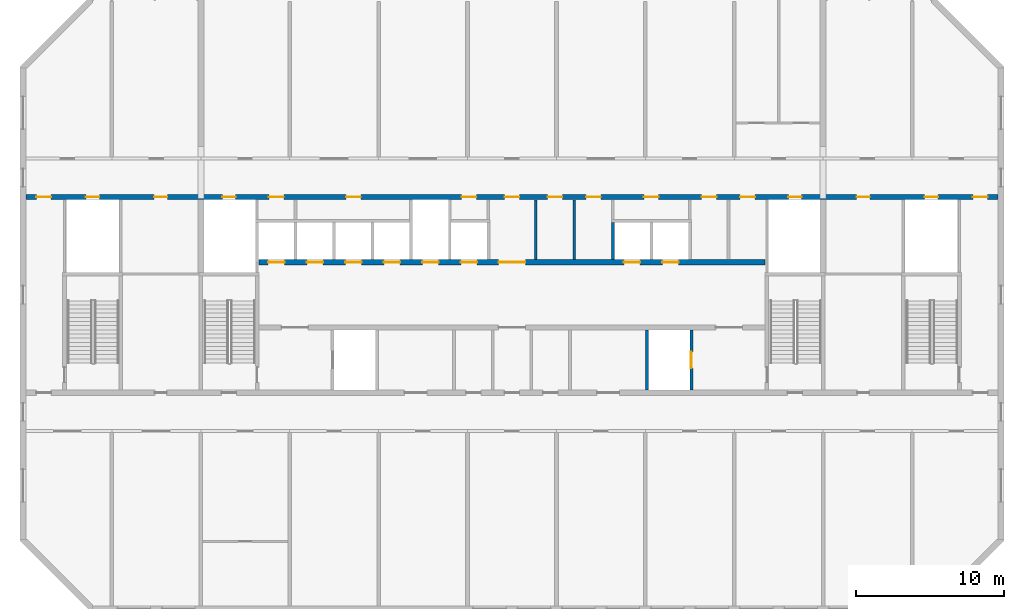
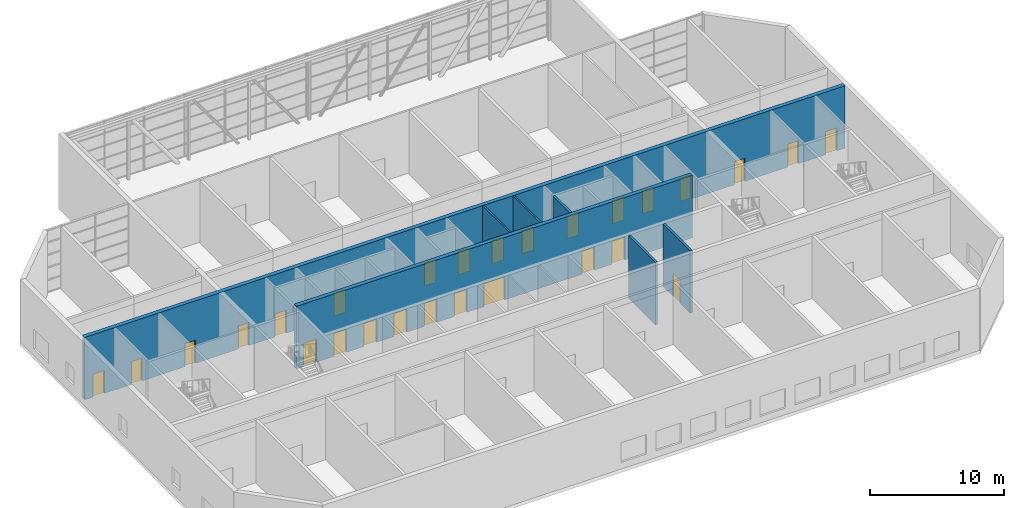
# One storey, part 13 of 17: 27 doors, 7 walls, 27 openings.
"""IFC4 building model written with IfcOpenShell, lengths in metres."""

from ifc_helpers import new_model, si_unit, direction, frame, frame_2d, origin, place, context, subcontext, project, spatial, rectangle, extrude, material, layer, layer_set, type_object, element, fill, save


model = new_model("IFC4")

# Units and contexts
model_context = context("Model", 3, precision=1e-05, world=origin(), true_north=direction((0.0, 1.0)))
body_context = subcontext(model_context, "Body", "Model", "MODEL_VIEW")
ifc_project = project(units=[si_unit("LENGTHUNIT", "METRE"), si_unit("AREAUNIT", "SQUARE_METRE"), si_unit("VOLUMEUNIT", "CUBIC_METRE"), si_unit("PLANEANGLEUNIT", "RADIAN"), si_unit("MASSUNIT", "GRAM", prefix="KILO")], contexts=[model_context])

# Site, building, storey
site_placement = place(None, origin())
site = spatial("IfcSite", under=ifc_project, at=site_placement, CompositionType="ELEMENT")
building_placement = place(site_placement, origin())
building = spatial("IfcBuilding", under=site, at=building_placement, Name="Poui Terraces", CompositionType="ELEMENT")
storey_placement = place(building_placement, frame((0.0, 0.0, 261.0)))
storey = spatial("IfcBuildingStorey", under=building, at=storey_placement, Name="L73", CompositionType="ELEMENT", Elevation=261.0)

# Wall, openings, doors
ifc_material_1 = material(Name="Concrete 50 MPa", Category="concrete")
ifc_layer_1 = layer(ifc_material_1, 0.35009765625)
ifc_layer_set_1 = layer_set([ifc_layer_1], Name="Concrete 50 MPa")
wall_type_1 = type_object("IfcWallType", Name="CORE WALL 350 50 MPA", PredefinedType="SOLIDWALL", material=ifc_layer_set_1)
wall_1_placement = place(storey_placement, frame((33.925048828125, 23.39990234375, 0.0), z_axis=(0.0, 0.0, 1.0), x_axis=(1.0, 0.0, 0.0)))
wall_1 = element("IfcWall", 1, at=wall_1_placement, inside=storey, type_object=wall_type_1, Name="CORE WALL", PredefinedType="SOLIDWALL", context=body_context, shape_type="SweptSolid", body=[
    extrude(rectangle(XDim=34.14990234375, YDim=0.35009765625, at=frame_2d((17.074951171875, 0.0))), origin(), (0.0, 0.0, 1.0), 5.699951171875),
])
opening_1_placement = place(wall_1_placement, frame((16.175048828125, 0.0, 0.0)))
opening_1 = element("IfcOpeningElement", 2, at=opening_1_placement, cuts=wall_1, Name="Opening FDD60", PredefinedType="OPENING", context=body_context, shape_type="SweptSolid", body=[
    extrude(rectangle(XDim=1.800048828125, YDim=2.10009765625, at=frame_2d((0.89990234375, 1.050048828125))), frame((0.0, 0.18505859375, 0.0), z_axis=(0.0, -1.0, 0.0), x_axis=(1.0, 0.0, 0.0)), (0.0, 0.0, 1.0), 0.3701171875),
])
opening_2_placement = place(wall_1_placement, frame((0.625, 0.0, 0.0)))
opening_2 = element("IfcOpeningElement", 3, at=opening_2_placement, cuts=wall_1, Name="Opening LD", PredefinedType="OPENING", context=body_context, shape_type="SweptSolid", body=[
    extrude(rectangle(XDim=1.10009765625, YDim=2.10009765625, at=frame_2d((0.550048828125, 1.050048828125))), frame((0.0, 0.18505859375, 0.0), z_axis=(0.0, -1.0, 0.0), x_axis=(1.0, 0.0, 0.0)), (0.0, 0.0, 1.0), 0.3701171875),
])
opening_3_placement = place(wall_1_placement, frame((3.22509765625, 0.0, 0.0)))
opening_3 = element("IfcOpeningElement", 4, at=opening_3_placement, cuts=wall_1, Name="Opening LD", PredefinedType="OPENING", context=body_context, shape_type="SweptSolid", body=[
    extrude(rectangle(XDim=1.10009765625, YDim=2.10009765625, at=frame_2d((0.550048828125, 1.050048828125))), frame((0.0, 0.18505859375, 0.0), z_axis=(0.0, -1.0, 0.0), x_axis=(1.0, 0.0, 0.0)), (0.0, 0.0, 1.0), 0.3701171875),
])
opening_4_placement = place(wall_1_placement, frame((5.824951171875, 0.0, 0.0)))
opening_4 = element("IfcOpeningElement", 5, at=opening_4_placement, cuts=wall_1, Name="Opening LD", PredefinedType="OPENING", context=body_context, shape_type="SweptSolid", body=[
    extrude(rectangle(XDim=1.10009765625, YDim=2.10009765625, at=frame_2d((0.550048828125, 1.050048828125))), frame((0.0, 0.18505859375, 0.0), z_axis=(0.0, -1.0, 0.0), x_axis=(1.0, 0.0, 0.0)), (0.0, 0.0, 1.0), 0.3701171875),
])
opening_5_placement = place(wall_1_placement, frame((8.425048828125, 0.0, 0.0)))
opening_5 = element("IfcOpeningElement", 6, at=opening_5_placement, cuts=wall_1, Name="Opening LD", PredefinedType="OPENING", context=body_context, shape_type="SweptSolid", body=[
    extrude(rectangle(XDim=1.10009765625, YDim=2.10009765625, at=frame_2d((0.550048828125, 1.050048828125))), frame((0.0, 0.18505859375, 0.0), z_axis=(0.0, -1.0, 0.0), x_axis=(1.0, 0.0, 0.0)), (0.0, 0.0, 1.0), 0.3701171875),
])
opening_6_placement = place(wall_1_placement, frame((11.02490234375, 0.0, 0.0)))
opening_6 = element("IfcOpeningElement", 7, at=opening_6_placement, cuts=wall_1, Name="Opening LD", PredefinedType="OPENING", context=body_context, shape_type="SweptSolid", body=[
    extrude(rectangle(XDim=1.10009765625, YDim=2.10009765625, at=frame_2d((0.550048828125, 1.050048828125))), frame((0.0, 0.18505859375, 0.0), z_axis=(0.0, -1.0, 0.0), x_axis=(1.0, 0.0, 0.0)), (0.0, 0.0, 1.0), 0.3701171875),
])
opening_7_placement = place(wall_1_placement, frame((13.625, 0.0, 0.0)))
opening_7 = element("IfcOpeningElement", 8, at=opening_7_placement, cuts=wall_1, Name="Opening LD", PredefinedType="OPENING", context=body_context, shape_type="SweptSolid", body=[
    extrude(rectangle(XDim=1.10009765625, YDim=2.10009765625, at=frame_2d((0.550048828125, 1.050048828125))), frame((0.0, 0.18505859375, 0.0), z_axis=(0.0, -1.0, 0.0), x_axis=(1.0, 0.0, 0.0)), (0.0, 0.0, 1.0), 0.3701171875),
])
opening_8_placement = place(wall_1_placement, frame((24.625, 0.0, 0.0)))
opening_8 = element("IfcOpeningElement", 9, at=opening_8_placement, cuts=wall_1, Name="Opening LD", PredefinedType="OPENING", context=body_context, shape_type="SweptSolid", body=[
    extrude(rectangle(XDim=1.10009765625, YDim=2.10009765625, at=frame_2d((0.550048828125, 1.050048828125))), frame((0.0, 0.18505859375, 0.0), z_axis=(0.0, -1.0, 0.0), x_axis=(1.0, 0.0, 0.0)), (0.0, 0.0, 1.0), 0.3701171875),
])
opening_9_placement = place(wall_1_placement, frame((27.22509765625, 0.0, 0.0)))
opening_9 = element("IfcOpeningElement", 10, at=opening_9_placement, cuts=wall_1, Name="Opening LD", PredefinedType="OPENING", context=body_context, shape_type="SweptSolid", body=[
    extrude(rectangle(XDim=1.10009765625, YDim=2.10009765625, at=frame_2d((0.550048828125, 1.050048828125))), frame((0.0, 0.18505859375, 0.0), z_axis=(0.0, -1.0, 0.0), x_axis=(1.0, 0.0, 0.0)), (0.0, 0.0, 1.0), 0.3701171875),
])
ifc_material_2 = material(Name="Steel fire door", Category="steel")
door_type_1 = type_object("IfcDoorType", Name="DOUBLE LOBBY FIRE DOOR 1800 X 2100", OperationType="DOUBLE_DOOR_SINGLE_SWING", PredefinedType="DOOR", material=ifc_material_2)
door_1_placement = place(opening_1_placement, origin())
door_1 = element("IfcDoor", 11, at=door_1_placement, inside=storey, type_object=door_type_1, Name="DOUBLE LOBBY FIRE DOOR 061", OperationType="DOUBLE_DOOR_SINGLE_SWING", OverallHeight=2.10009765625, OverallWidth=1.800048828125, PredefinedType="DOOR", context=body_context, shape_type="SweptSolid", body=[
    extrude(rectangle(XDim=1.800048828125, YDim=2.10009765625, at=frame_2d((0.89990234375, 1.050048828125))), frame((0.0, 0.02490234375, 0.0), z_axis=(0.0, -1.0, 0.0), x_axis=(1.0, 0.0, 0.0)), (0.0, 0.0, 1.0), 0.050048828125),
])
fill(opening_1, door_1)
ifc_material_3 = material(Name="Stainless steel sliding door", Category="steel")
door_type_2 = type_object("IfcDoorType", Name="LIFT LANDING DOOR 1100 X 2100", OperationType="DOUBLE_DOOR_SLIDING", PredefinedType="DOOR", material=ifc_material_3)
door_2_placement = place(opening_2_placement, origin())
door_2 = element("IfcDoor", 12, at=door_2_placement, inside=storey, type_object=door_type_2, Name="LANDING DOOR", OperationType="DOUBLE_DOOR_SLIDING", OverallHeight=2.10009765625, OverallWidth=1.10009765625, PredefinedType="DOOR", context=body_context, shape_type="SweptSolid", body=[
    extrude(rectangle(XDim=1.10009765625, YDim=2.10009765625, at=frame_2d((0.550048828125, 1.050048828125))), frame((0.0, 0.02490234375, 0.0), z_axis=(0.0, -1.0, 0.0), x_axis=(1.0, 0.0, 0.0)), (0.0, 0.0, 1.0), 0.050048828125),
])
fill(opening_2, door_2)
door_3_placement = place(opening_3_placement, origin())
door_3 = element("IfcDoor", 13, at=door_3_placement, inside=storey, type_object=door_type_2, Name="LANDING DOOR", OperationType="DOUBLE_DOOR_SLIDING", OverallHeight=2.10009765625, OverallWidth=1.10009765625, PredefinedType="DOOR", context=body_context, shape_type="SweptSolid", body=[
    extrude(rectangle(XDim=1.10009765625, YDim=2.10009765625, at=frame_2d((0.550048828125, 1.050048828125))), frame((0.0, 0.02490234375, 0.0), z_axis=(0.0, -1.0, 0.0), x_axis=(1.0, 0.0, 0.0)), (0.0, 0.0, 1.0), 0.050048828125),
])
fill(opening_3, door_3)
door_4_placement = place(opening_4_placement, origin())
door_4 = element("IfcDoor", 14, at=door_4_placement, inside=storey, type_object=door_type_2, Name="LANDING DOOR", OperationType="DOUBLE_DOOR_SLIDING", OverallHeight=2.10009765625, OverallWidth=1.10009765625, PredefinedType="DOOR", context=body_context, shape_type="SweptSolid", body=[
    extrude(rectangle(XDim=1.10009765625, YDim=2.10009765625, at=frame_2d((0.550048828125, 1.050048828125))), frame((0.0, 0.02490234375, 0.0), z_axis=(0.0, -1.0, 0.0), x_axis=(1.0, 0.0, 0.0)), (0.0, 0.0, 1.0), 0.050048828125),
])
fill(opening_4, door_4)
door_5_placement = place(opening_5_placement, origin())
door_5 = element("IfcDoor", 15, at=door_5_placement, inside=storey, type_object=door_type_2, Name="LANDING DOOR", OperationType="DOUBLE_DOOR_SLIDING", OverallHeight=2.10009765625, OverallWidth=1.10009765625, PredefinedType="DOOR", context=body_context, shape_type="SweptSolid", body=[
    extrude(rectangle(XDim=1.10009765625, YDim=2.10009765625, at=frame_2d((0.550048828125, 1.050048828125))), frame((0.0, 0.02490234375, 0.0), z_axis=(0.0, -1.0, 0.0), x_axis=(1.0, 0.0, 0.0)), (0.0, 0.0, 1.0), 0.050048828125),
])
fill(opening_5, door_5)
door_6_placement = place(opening_6_placement, origin())
door_6 = element("IfcDoor", 16, at=door_6_placement, inside=storey, type_object=door_type_2, Name="LANDING DOOR", OperationType="DOUBLE_DOOR_SLIDING", OverallHeight=2.10009765625, OverallWidth=1.10009765625, PredefinedType="DOOR", context=body_context, shape_type="SweptSolid", body=[
    extrude(rectangle(XDim=1.10009765625, YDim=2.10009765625, at=frame_2d((0.550048828125, 1.050048828125))), frame((0.0, 0.02490234375, 0.0), z_axis=(0.0, -1.0, 0.0), x_axis=(1.0, 0.0, 0.0)), (0.0, 0.0, 1.0), 0.050048828125),
])
fill(opening_6, door_6)
door_7_placement = place(opening_7_placement, origin())
door_7 = element("IfcDoor", 17, at=door_7_placement, inside=storey, type_object=door_type_2, Name="LANDING DOOR", OperationType="DOUBLE_DOOR_SLIDING", OverallHeight=2.10009765625, OverallWidth=1.10009765625, PredefinedType="DOOR", context=body_context, shape_type="SweptSolid", body=[
    extrude(rectangle(XDim=1.10009765625, YDim=2.10009765625, at=frame_2d((0.550048828125, 1.050048828125))), frame((0.0, 0.02490234375, 0.0), z_axis=(0.0, -1.0, 0.0), x_axis=(1.0, 0.0, 0.0)), (0.0, 0.0, 1.0), 0.050048828125),
])
fill(opening_7, door_7)
door_8_placement = place(opening_8_placement, origin())
door_8 = element("IfcDoor", 18, at=door_8_placement, inside=storey, type_object=door_type_2, Name="LANDING DOOR", OperationType="DOUBLE_DOOR_SLIDING", OverallHeight=2.10009765625, OverallWidth=1.10009765625, PredefinedType="DOOR", context=body_context, shape_type="SweptSolid", body=[
    extrude(rectangle(XDim=1.10009765625, YDim=2.10009765625, at=frame_2d((0.550048828125, 1.050048828125))), frame((0.0, 0.02490234375, 0.0), z_axis=(0.0, -1.0, 0.0), x_axis=(1.0, 0.0, 0.0)), (0.0, 0.0, 1.0), 0.050048828125),
])
fill(opening_8, door_8)
door_9_placement = place(opening_9_placement, origin())
door_9 = element("IfcDoor", 19, at=door_9_placement, inside=storey, type_object=door_type_2, Name="LANDING DOOR", OperationType="DOUBLE_DOOR_SLIDING", OverallHeight=2.10009765625, OverallWidth=1.10009765625, PredefinedType="DOOR", context=body_context, shape_type="SweptSolid", body=[
    extrude(rectangle(XDim=1.10009765625, YDim=2.10009765625, at=frame_2d((0.550048828125, 1.050048828125))), frame((0.0, 0.02490234375, 0.0), z_axis=(0.0, -1.0, 0.0), x_axis=(1.0, 0.0, 0.0)), (0.0, 0.0, 1.0), 0.050048828125),
])
fill(opening_9, door_9)

# Walls
ifc_material_4 = material(Name="Fire-rated plasterboard wall")
ifc_layer_2 = layer(ifc_material_4, 0.14990234375)
ifc_layer_set_2 = layer_set([ifc_layer_2], Name="Fire-rated plasterboard wall")
wall_type_2 = type_object("IfcWallType", Name="CORRIDOR WALL 150", PredefinedType="PARTITIONING", material=ifc_layer_set_2)
wall_2_placement = place(storey_placement, frame((52.60009765625, 23.5849609375, 0.0), z_axis=(0.0, 0.0, 1.0), x_axis=(0.0, 1.0, 0.0)))
element("IfcWall", 20, at=wall_2_placement, inside=storey, type_object=wall_type_2, Name="CORRIDOR WALL 150", PredefinedType="PARTITIONING", context=body_context, shape_type="SweptSolid", body=[
    extrude(rectangle(XDim=4.030029296875, YDim=0.14990234375, at=frame_2d((2.01513671875, 0.0))), origin(), (0.0, 0.0, 1.0), 5.699951171875),
])
ifc_material_5 = material(Name="Plasterboard partition")
ifc_layer_3 = layer(ifc_material_5, 0.14990234375)
ifc_layer_set_3 = layer_set([ifc_layer_3], Name="Plasterboard partition")
wall_type_3 = type_object("IfcWallType", Name="PARTITION WALL 150", PredefinedType="PARTITIONING", material=ifc_layer_set_3)
wall_3_placement = place(storey_placement, frame((55.199951171875, 23.5849609375, 0.0), z_axis=(0.0, 0.0, 1.0), x_axis=(0.0, 1.0, 0.0)))
element("IfcWall", 21, at=wall_3_placement, inside=storey, type_object=wall_type_3, Name="PARTITION WALL 150", PredefinedType="PARTITIONING", context=body_context, shape_type="SweptSolid", body=[
    extrude(rectangle(XDim=4.030029296875, YDim=0.14990234375, at=frame_2d((2.01513671875, 0.0))), origin(), (0.0, 0.0, 1.0), 5.699951171875),
])
ifc_material_6 = material(Name="Fire-rated masonry shaft wall", Category="masonry")
ifc_layer_4 = layer(ifc_material_6, 0.199951171875)
ifc_layer_set_4 = layer_set([ifc_layer_4], Name="Fire-rated masonry shaft wall")
wall_type_4 = type_object("IfcWallType", Name="SHAFT WALL 200", PredefinedType="PARTITIONING", material=ifc_layer_set_4)
wall_4_placement = place(storey_placement, frame((57.800048828125, 23.5849609375, 0.0), z_axis=(0.0, 0.0, 1.0), x_axis=(0.0, 1.0, 0.0)))
element("IfcWall", 22, at=wall_4_placement, inside=storey, type_object=wall_type_4, Name="SHAFT WALL 200", PredefinedType="PARTITIONING", context=body_context, shape_type="SweptSolid", body=[
    extrude(rectangle(XDim=2.51513671875, YDim=0.199951171875, at=frame_2d((1.257568359375, 0.0))), origin(), (0.0, 0.0, 1.0), 5.699951171875),
])
wall_5_placement = place(storey_placement, frame((60.10009765625, 14.784912109375, 0.0), z_axis=(0.0, 0.0, 1.0), x_axis=(0.0, 1.0, 0.0)))
element("IfcWall", 23, at=wall_5_placement, inside=storey, type_object=wall_type_4, Name="SHAFT WALL 200", PredefinedType="PARTITIONING", context=body_context, shape_type="SweptSolid", body=[
    extrude(rectangle(XDim=4.030029296875, YDim=0.199951171875, at=frame_2d((2.01513671875, 0.0))), origin(), (0.0, 0.0, 1.0), 5.699951171875),
])

# Wall, opening, door
wall_6_placement = place(storey_placement, frame((63.10009765625, 14.784912109375, 0.0), z_axis=(0.0, 0.0, 1.0), x_axis=(0.0, 1.0, 0.0)))
wall_6 = element("IfcWall", 24, at=wall_6_placement, inside=storey, type_object=wall_type_4, Name="SHAFT WALL 200", PredefinedType="PARTITIONING", context=body_context, shape_type="SweptSolid", body=[
    extrude(rectangle(XDim=4.030029296875, YDim=0.199951171875, at=frame_2d((2.01513671875, 0.0))), origin(), (0.0, 0.0, 1.0), 5.699951171875),
])
opening_10_placement = place(wall_6_placement, frame((1.465087890625, 0.0, 0.0)))
opening_10 = element("IfcOpeningElement", 25, at=opening_10_placement, cuts=wall_6, Name="Opening LD", PredefinedType="OPENING", context=body_context, shape_type="SweptSolid", body=[
    extrude(rectangle(XDim=1.10009765625, YDim=2.10009765625, at=frame_2d((0.550048828125, 1.050048828125))), frame((0.0, 0.10986328125, 0.0), z_axis=(0.0, -1.0, 0.0), x_axis=(1.0, 0.0, 0.0)), (0.0, 0.0, 1.0), 0.219970703125),
])
door_10_placement = place(opening_10_placement, origin())
door_10 = element("IfcDoor", 26, at=door_10_placement, inside=storey, type_object=door_type_2, Name="LANDING DOOR", OperationType="DOUBLE_DOOR_SLIDING", OverallHeight=2.10009765625, OverallWidth=1.10009765625, PredefinedType="DOOR", context=body_context, shape_type="SweptSolid", body=[
    extrude(rectangle(XDim=1.10009765625, YDim=2.10009765625, at=frame_2d((0.550048828125, 1.050048828125))), frame((0.0, 0.02490234375, 0.0), z_axis=(0.0, -1.0, 0.0), x_axis=(1.0, 0.0, 0.0)), (0.0, 0.0, 1.0), 0.050048828125),
])
fill(opening_10, door_10)

# Wall, openings, doors
ifc_layer_5 = layer(ifc_material_1, 0.35009765625)
ifc_layer_set_5 = layer_set([ifc_layer_5], Name="Concrete 50 MPa")
wall_type_5 = type_object("IfcWallType", Name="SPINE WALL 350 50 MPA", PredefinedType="SOLIDWALL", material=ifc_layer_set_5)
wall_7_placement = place(storey_placement, frame((18.199951171875, 27.800048828125, 0.0), z_axis=(0.0, 0.0, 1.0), x_axis=(1.0, 0.0, 0.0)))
wall_7 = element("IfcWall", 27, at=wall_7_placement, inside=storey, type_object=wall_type_5, Name="SPINE WALL", PredefinedType="SOLIDWALL", context=body_context, shape_type="SweptSolid", body=[
    extrude(rectangle(XDim=65.60009765625, YDim=0.35009765625, at=frame_2d((32.800048828125, 0.0))), origin(), (0.0, 0.0, 1.0), 5.699951171875),
])
opening_11_placement = place(wall_7_placement, frame((0.699951171875, 0.0, 0.0)))
opening_11 = element("IfcOpeningElement", 28, at=opening_11_placement, cuts=wall_7, Name="Opening FDL", PredefinedType="OPENING", context=body_context, shape_type="SweptSolid", body=[
    extrude(rectangle(XDim=1.0, YDim=2.10009765625, at=frame_2d((0.5, 1.050048828125))), frame((0.0, 0.18505859375, 0.0), z_axis=(0.0, -1.0, 0.0), x_axis=(1.0, 0.0, 0.0)), (0.0, 0.0, 1.0), 0.3701171875),
])
opening_12_placement = place(wall_7_placement, frame((4.050048828125, 0.0, 0.0)))
opening_12 = element("IfcOpeningElement", 29, at=opening_12_placement, cuts=wall_7, Name="Opening FDR", PredefinedType="OPENING", context=body_context, shape_type="SweptSolid", body=[
    extrude(rectangle(XDim=0.89990234375, YDim=2.10009765625, at=frame_2d((0.449951171875, 1.050048828125))), frame((0.0, 0.18505859375, 0.0), z_axis=(0.0, -1.0, 0.0), x_axis=(1.0, 0.0, 0.0)), (0.0, 0.0, 1.0), 0.3701171875),
])
opening_13_placement = place(wall_7_placement, frame((8.64990234375, 0.0, 0.0)))
opening_13 = element("IfcOpeningElement", 30, at=opening_13_placement, cuts=wall_7, Name="Opening D90", PredefinedType="OPENING", context=body_context, shape_type="SweptSolid", body=[
    extrude(rectangle(XDim=0.89990234375, YDim=2.10009765625, at=frame_2d((0.449951171875, 1.050048828125))), frame((0.0, 0.18505859375, 0.0), z_axis=(0.0, -1.0, 0.0), x_axis=(1.0, 0.0, 0.0)), (0.0, 0.0, 1.0), 0.3701171875),
])
opening_14_placement = place(wall_7_placement, frame((13.25, 0.0, 0.0)))
opening_14 = element("IfcOpeningElement", 31, at=opening_14_placement, cuts=wall_7, Name="Opening FDR", PredefinedType="OPENING", context=body_context, shape_type="SweptSolid", body=[
    extrude(rectangle(XDim=0.89990234375, YDim=2.10009765625, at=frame_2d((0.449951171875, 1.050048828125))), frame((0.0, 0.18505859375, 0.0), z_axis=(0.0, -1.0, 0.0), x_axis=(1.0, 0.0, 0.0)), (0.0, 0.0, 1.0), 0.3701171875),
])
opening_15_placement = place(wall_7_placement, frame((16.39990234375, 0.0, 0.0)))
opening_15 = element("IfcOpeningElement", 32, at=opening_15_placement, cuts=wall_7, Name="Opening FD60", PredefinedType="OPENING", context=body_context, shape_type="SweptSolid", body=[
    extrude(rectangle(XDim=1.0, YDim=2.10009765625, at=frame_2d((0.5, 1.050048828125))), frame((0.0, 0.18505859375, 0.0), z_axis=(0.0, -1.0, 0.0), x_axis=(1.0, 0.0, 0.0)), (0.0, 0.0, 1.0), 0.3701171875),
])
opening_16_placement = place(wall_7_placement, frame((21.60009765625, 0.0, 0.0)))
opening_16 = element("IfcOpeningElement", 33, at=opening_16_placement, cuts=wall_7, Name="Opening FD60", PredefinedType="OPENING", context=body_context, shape_type="SweptSolid", body=[
    extrude(rectangle(XDim=1.0, YDim=2.10009765625, at=frame_2d((0.5, 1.050048828125))), frame((0.0, 0.18505859375, 0.0), z_axis=(0.0, -1.0, 0.0), x_axis=(1.0, 0.0, 0.0)), (0.0, 0.0, 1.0), 0.3701171875),
])
opening_17_placement = place(wall_7_placement, frame((29.39990234375, 0.0, 0.0)))
opening_17 = element("IfcOpeningElement", 34, at=opening_17_placement, cuts=wall_7, Name="Opening FD60", PredefinedType="OPENING", context=body_context, shape_type="SweptSolid", body=[
    extrude(rectangle(XDim=1.0, YDim=2.10009765625, at=frame_2d((0.5, 1.050048828125))), frame((0.0, 0.18505859375, 0.0), z_axis=(0.0, -1.0, 0.0), x_axis=(1.0, 0.0, 0.0)), (0.0, 0.0, 1.0), 0.3701171875),
])
opening_18_placement = place(wall_7_placement, frame((32.300048828125, 0.0, 0.0)))
opening_18 = element("IfcOpeningElement", 35, at=opening_18_placement, cuts=wall_7, Name="Opening FDL", PredefinedType="OPENING", context=body_context, shape_type="SweptSolid", body=[
    extrude(rectangle(XDim=1.0, YDim=2.10009765625, at=frame_2d((0.5, 1.050048828125))), frame((0.0, 0.18505859375, 0.0), z_axis=(0.0, -1.0, 0.0), x_axis=(1.0, 0.0, 0.0)), (0.0, 0.0, 1.0), 0.3701171875),
])
opening_19_placement = place(wall_7_placement, frame((35.199951171875, 0.0, 0.0)))
opening_19 = element("IfcOpeningElement", 36, at=opening_19_placement, cuts=wall_7, Name="Opening FD60", PredefinedType="OPENING", context=body_context, shape_type="SweptSolid", body=[
    extrude(rectangle(XDim=1.0, YDim=2.10009765625, at=frame_2d((0.5, 1.050048828125))), frame((0.0, 0.18505859375, 0.0), z_axis=(0.0, -1.0, 0.0), x_axis=(1.0, 0.0, 0.0)), (0.0, 0.0, 1.0), 0.3701171875),
])
opening_20_placement = place(wall_7_placement, frame((37.800048828125, 0.0, 0.0)))
opening_20 = element("IfcOpeningElement", 37, at=opening_20_placement, cuts=wall_7, Name="Opening FD60", PredefinedType="OPENING", context=body_context, shape_type="SweptSolid", body=[
    extrude(rectangle(XDim=1.0, YDim=2.10009765625, at=frame_2d((0.5, 1.050048828125))), frame((0.0, 0.18505859375, 0.0), z_axis=(0.0, -1.0, 0.0), x_axis=(1.0, 0.0, 0.0)), (0.0, 0.0, 1.0), 0.3701171875),
])
opening_21_placement = place(wall_7_placement, frame((41.699951171875, 0.0, 0.0)))
opening_21 = element("IfcOpeningElement", 38, at=opening_21_placement, cuts=wall_7, Name="Opening FD60", PredefinedType="OPENING", context=body_context, shape_type="SweptSolid", body=[
    extrude(rectangle(XDim=1.0, YDim=2.10009765625, at=frame_2d((0.5, 1.050048828125))), frame((0.0, 0.18505859375, 0.0), z_axis=(0.0, -1.0, 0.0), x_axis=(1.0, 0.0, 0.0)), (0.0, 0.0, 1.0), 0.3701171875),
])
opening_22_placement = place(wall_7_placement, frame((45.60009765625, 0.0, 0.0)))
opening_22 = element("IfcOpeningElement", 39, at=opening_22_placement, cuts=wall_7, Name="Opening FD60", PredefinedType="OPENING", context=body_context, shape_type="SweptSolid", body=[
    extrude(rectangle(XDim=1.0, YDim=2.10009765625, at=frame_2d((0.5, 1.050048828125))), frame((0.0, 0.18505859375, 0.0), z_axis=(0.0, -1.0, 0.0), x_axis=(1.0, 0.0, 0.0)), (0.0, 0.0, 1.0), 0.3701171875),
])
opening_23_placement = place(wall_7_placement, frame((48.199951171875, 0.0, 0.0)))
opening_23 = element("IfcOpeningElement", 40, at=opening_23_placement, cuts=wall_7, Name="Opening FD60", PredefinedType="OPENING", context=body_context, shape_type="SweptSolid", body=[
    extrude(rectangle(XDim=1.0, YDim=2.10009765625, at=frame_2d((0.5, 1.050048828125))), frame((0.0, 0.18505859375, 0.0), z_axis=(0.0, -1.0, 0.0), x_axis=(1.0, 0.0, 0.0)), (0.0, 0.0, 1.0), 0.3701171875),
])
opening_24_placement = place(wall_7_placement, frame((51.449951171875, 0.0, 0.0)))
opening_24 = element("IfcOpeningElement", 41, at=opening_24_placement, cuts=wall_7, Name="Opening FDR", PredefinedType="OPENING", context=body_context, shape_type="SweptSolid", body=[
    extrude(rectangle(XDim=0.89990234375, YDim=2.10009765625, at=frame_2d((0.449951171875, 1.050048828125))), frame((0.0, 0.18505859375, 0.0), z_axis=(0.0, -1.0, 0.0), x_axis=(1.0, 0.0, 0.0)), (0.0, 0.0, 1.0), 0.3701171875),
])
opening_25_placement = place(wall_7_placement, frame((56.050048828125, 0.0, 0.0)))
opening_25 = element("IfcOpeningElement", 42, at=opening_25_placement, cuts=wall_7, Name="Opening D90", PredefinedType="OPENING", context=body_context, shape_type="SweptSolid", body=[
    extrude(rectangle(XDim=0.89990234375, YDim=2.10009765625, at=frame_2d((0.449951171875, 1.050048828125))), frame((0.0, 0.18505859375, 0.0), z_axis=(0.0, -1.0, 0.0), x_axis=(1.0, 0.0, 0.0)), (0.0, 0.0, 1.0), 0.3701171875),
])
opening_26_placement = place(wall_7_placement, frame((60.64990234375, 0.0, 0.0)))
opening_26 = element("IfcOpeningElement", 43, at=opening_26_placement, cuts=wall_7, Name="Opening FDR", PredefinedType="OPENING", context=body_context, shape_type="SweptSolid", body=[
    extrude(rectangle(XDim=0.89990234375, YDim=2.10009765625, at=frame_2d((0.449951171875, 1.050048828125))), frame((0.0, 0.18505859375, 0.0), z_axis=(0.0, -1.0, 0.0), x_axis=(1.0, 0.0, 0.0)), (0.0, 0.0, 1.0), 0.3701171875),
])
opening_27_placement = place(wall_7_placement, frame((63.89990234375, 0.0, 0.0)))
opening_27 = element("IfcOpeningElement", 44, at=opening_27_placement, cuts=wall_7, Name="Opening FDL", PredefinedType="OPENING", context=body_context, shape_type="SweptSolid", body=[
    extrude(rectangle(XDim=1.0, YDim=2.10009765625, at=frame_2d((0.5, 1.050048828125))), frame((0.0, 0.18505859375, 0.0), z_axis=(0.0, -1.0, 0.0), x_axis=(1.0, 0.0, 0.0)), (0.0, 0.0, 1.0), 0.3701171875),
])
ifc_material_7 = material(Name="Solid core timber door", Category="wood")
door_type_3 = type_object("IfcDoorType", Name="INTERNAL DOOR 900 X 2100", OperationType="NOTDEFINED", PredefinedType="DOOR", material=ifc_material_7)
door_11_placement = place(opening_13_placement, origin())
door_11 = element("IfcDoor", 45, at=door_11_placement, inside=storey, type_object=door_type_3, Name="INTERNAL DOOR 005", OperationType="SINGLE_SWING_LEFT", OverallHeight=2.10009765625, OverallWidth=0.89990234375, PredefinedType="DOOR", context=body_context, shape_type="SweptSolid", body=[
    extrude(rectangle(XDim=0.89990234375, YDim=2.10009765625, at=frame_2d((0.449951171875, 1.050048828125))), frame((0.0, 0.02490234375, 0.0), z_axis=(0.0, -1.0, 0.0), x_axis=(1.0, 0.0, 0.0)), (0.0, 0.0, 1.0), 0.050048828125),
])
fill(opening_13, door_11)
door_12_placement = place(opening_25_placement, origin())
door_12 = element("IfcDoor", 46, at=door_12_placement, inside=storey, type_object=door_type_3, Name="INTERNAL DOOR 024", OperationType="SINGLE_SWING_LEFT", OverallHeight=2.10009765625, OverallWidth=0.89990234375, PredefinedType="DOOR", context=body_context, shape_type="SweptSolid", body=[
    extrude(rectangle(XDim=0.89990234375, YDim=2.10009765625, at=frame_2d((0.449951171875, 1.050048828125))), frame((0.0, 0.02490234375, 0.0), z_axis=(0.0, -1.0, 0.0), x_axis=(1.0, 0.0, 0.0)), (0.0, 0.0, 1.0), 0.050048828125),
])
fill(opening_25, door_12)
door_type_4 = type_object("IfcDoorType", Name="LOBBY FIRE DOOR 1000 X 2100", OperationType="NOTDEFINED", PredefinedType="DOOR", material=ifc_material_2)
door_13_placement = place(opening_11_placement, origin())
door_13 = element("IfcDoor", 47, at=door_13_placement, inside=storey, type_object=door_type_4, Name="LOBBY FIRE DOOR 001", OperationType="SINGLE_SWING_RIGHT", OverallHeight=2.10009765625, OverallWidth=1.0, PredefinedType="DOOR", context=body_context, shape_type="SweptSolid", body=[
    extrude(rectangle(XDim=1.0, YDim=2.10009765625, at=frame_2d((0.5, 1.050048828125))), frame((0.0, 0.02490234375, 0.0), z_axis=(0.0, -1.0, 0.0), x_axis=(1.0, 0.0, 0.0)), (0.0, 0.0, 1.0), 0.050048828125),
])
fill(opening_11, door_13)
door_14_placement = place(opening_18_placement, origin())
door_14 = element("IfcDoor", 48, at=door_14_placement, inside=storey, type_object=door_type_4, Name="LOBBY FIRE DOOR 013", OperationType="SINGLE_SWING_LEFT", OverallHeight=2.10009765625, OverallWidth=1.0, PredefinedType="DOOR", context=body_context, shape_type="SweptSolid", body=[
    extrude(rectangle(XDim=1.0, YDim=2.10009765625, at=frame_2d((0.5, 1.050048828125))), frame((0.0, 0.02490234375, 0.0), z_axis=(0.0, -1.0, 0.0), x_axis=(1.0, 0.0, 0.0)), (0.0, 0.0, 1.0), 0.050048828125),
])
fill(opening_18, door_14)
door_15_placement = place(opening_27_placement, origin())
door_15 = element("IfcDoor", 49, at=door_15_placement, inside=storey, type_object=door_type_4, Name="LOBBY FIRE DOOR 028", OperationType="SINGLE_SWING_LEFT", OverallHeight=2.10009765625, OverallWidth=1.0, PredefinedType="DOOR", context=body_context, shape_type="SweptSolid", body=[
    extrude(rectangle(XDim=1.0, YDim=2.10009765625, at=frame_2d((0.5, 1.050048828125))), frame((0.0, 0.02490234375, 0.0), z_axis=(0.0, -1.0, 0.0), x_axis=(1.0, 0.0, 0.0)), (0.0, 0.0, 1.0), 0.050048828125),
])
fill(opening_27, door_15)
door_type_5 = type_object("IfcDoorType", Name="RISER CUPBOARD DOOR 900 X 2100", OperationType="NOTDEFINED", PredefinedType="DOOR", material=ifc_material_2)
door_16_placement = place(opening_12_placement, origin())
door_16 = element("IfcDoor", 50, at=door_16_placement, inside=storey, type_object=door_type_5, Name="RISER CUPBOARD DOOR 003", OperationType="SINGLE_SWING_RIGHT", OverallHeight=2.10009765625, OverallWidth=0.89990234375, PredefinedType="DOOR", context=body_context, shape_type="SweptSolid", body=[
    extrude(rectangle(XDim=0.89990234375, YDim=2.10009765625, at=frame_2d((0.449951171875, 1.050048828125))), frame((0.0, 0.02490234375, 0.0), z_axis=(0.0, -1.0, 0.0), x_axis=(1.0, 0.0, 0.0)), (0.0, 0.0, 1.0), 0.050048828125),
])
fill(opening_12, door_16)
door_17_placement = place(opening_14_placement, origin())
door_17 = element("IfcDoor", 51, at=door_17_placement, inside=storey, type_object=door_type_5, Name="RISER CUPBOARD DOOR 006", OperationType="SINGLE_SWING_RIGHT", OverallHeight=2.10009765625, OverallWidth=0.89990234375, PredefinedType="DOOR", context=body_context, shape_type="SweptSolid", body=[
    extrude(rectangle(XDim=0.89990234375, YDim=2.10009765625, at=frame_2d((0.449951171875, 1.050048828125))), frame((0.0, 0.02490234375, 0.0), z_axis=(0.0, -1.0, 0.0), x_axis=(1.0, 0.0, 0.0)), (0.0, 0.0, 1.0), 0.050048828125),
])
fill(opening_14, door_17)
door_18_placement = place(opening_24_placement, origin())
door_18 = element("IfcDoor", 52, at=door_18_placement, inside=storey, type_object=door_type_5, Name="RISER CUPBOARD DOOR 023", OperationType="SINGLE_SWING_LEFT", OverallHeight=2.10009765625, OverallWidth=0.89990234375, PredefinedType="DOOR", context=body_context, shape_type="SweptSolid", body=[
    extrude(rectangle(XDim=0.89990234375, YDim=2.10009765625, at=frame_2d((0.449951171875, 1.050048828125))), frame((0.0, 0.02490234375, 0.0), z_axis=(0.0, -1.0, 0.0), x_axis=(1.0, 0.0, 0.0)), (0.0, 0.0, 1.0), 0.050048828125),
])
fill(opening_24, door_18)
door_19_placement = place(opening_26_placement, origin())
door_19 = element("IfcDoor", 53, at=door_19_placement, inside=storey, type_object=door_type_5, Name="RISER CUPBOARD DOOR 026", OperationType="SINGLE_SWING_LEFT", OverallHeight=2.10009765625, OverallWidth=0.89990234375, PredefinedType="DOOR", context=body_context, shape_type="SweptSolid", body=[
    extrude(rectangle(XDim=0.89990234375, YDim=2.10009765625, at=frame_2d((0.449951171875, 1.050048828125))), frame((0.0, 0.02490234375, 0.0), z_axis=(0.0, -1.0, 0.0), x_axis=(1.0, 0.0, 0.0)), (0.0, 0.0, 1.0), 0.050048828125),
])
fill(opening_26, door_19)
door_type_6 = type_object("IfcDoorType", Name="SERVICE ROOM FIRE DOOR 1000 X 2100", OperationType="NOTDEFINED", PredefinedType="DOOR", material=ifc_material_2)
door_20_placement = place(opening_15_placement, origin())
door_20 = element("IfcDoor", 54, at=door_20_placement, inside=storey, type_object=door_type_6, Name="SERVICE ROOM FIRE DOOR 008", OperationType="SINGLE_SWING_RIGHT", OverallHeight=2.10009765625, OverallWidth=1.0, PredefinedType="DOOR", context=body_context, shape_type="SweptSolid", body=[
    extrude(rectangle(XDim=1.0, YDim=2.10009765625, at=frame_2d((0.5, 1.050048828125))), frame((0.0, 0.02490234375, 0.0), z_axis=(0.0, -1.0, 0.0), x_axis=(1.0, 0.0, 0.0)), (0.0, 0.0, 1.0), 0.050048828125),
])
fill(opening_15, door_20)
door_21_placement = place(opening_16_placement, origin())
door_21 = element("IfcDoor", 55, at=door_21_placement, inside=storey, type_object=door_type_6, Name="SERVICE ROOM FIRE DOOR 010", OperationType="SINGLE_SWING_LEFT", OverallHeight=2.10009765625, OverallWidth=1.0, PredefinedType="DOOR", context=body_context, shape_type="SweptSolid", body=[
    extrude(rectangle(XDim=1.0, YDim=2.10009765625, at=frame_2d((0.5, 1.050048828125))), frame((0.0, 0.02490234375, 0.0), z_axis=(0.0, -1.0, 0.0), x_axis=(1.0, 0.0, 0.0)), (0.0, 0.0, 1.0), 0.050048828125),
])
fill(opening_16, door_21)
door_22_placement = place(opening_17_placement, origin())
door_22 = element("IfcDoor", 56, at=door_22_placement, inside=storey, type_object=door_type_6, Name="SERVICE ROOM FIRE DOOR 012", OperationType="SINGLE_SWING_RIGHT", OverallHeight=2.10009765625, OverallWidth=1.0, PredefinedType="DOOR", context=body_context, shape_type="SweptSolid", body=[
    extrude(rectangle(XDim=1.0, YDim=2.10009765625, at=frame_2d((0.5, 1.050048828125))), frame((0.0, 0.02490234375, 0.0), z_axis=(0.0, -1.0, 0.0), x_axis=(1.0, 0.0, 0.0)), (0.0, 0.0, 1.0), 0.050048828125),
])
fill(opening_17, door_22)
door_23_placement = place(opening_19_placement, origin())
door_23 = element("IfcDoor", 57, at=door_23_placement, inside=storey, type_object=door_type_6, Name="SERVICE ROOM FIRE DOOR 015", OperationType="SINGLE_SWING_LEFT", OverallHeight=2.10009765625, OverallWidth=1.0, PredefinedType="DOOR", context=body_context, shape_type="SweptSolid", body=[
    extrude(rectangle(XDim=1.0, YDim=2.10009765625, at=frame_2d((0.5, 1.050048828125))), frame((0.0, 0.02490234375, 0.0), z_axis=(0.0, -1.0, 0.0), x_axis=(1.0, 0.0, 0.0)), (0.0, 0.0, 1.0), 0.050048828125),
])
fill(opening_19, door_23)
door_24_placement = place(opening_20_placement, origin())
door_24 = element("IfcDoor", 58, at=door_24_placement, inside=storey, type_object=door_type_6, Name="SERVICE ROOM FIRE DOOR 016", OperationType="SINGLE_SWING_RIGHT", OverallHeight=2.10009765625, OverallWidth=1.0, PredefinedType="DOOR", context=body_context, shape_type="SweptSolid", body=[
    extrude(rectangle(XDim=1.0, YDim=2.10009765625, at=frame_2d((0.5, 1.050048828125))), frame((0.0, 0.02490234375, 0.0), z_axis=(0.0, -1.0, 0.0), x_axis=(1.0, 0.0, 0.0)), (0.0, 0.0, 1.0), 0.050048828125),
])
fill(opening_20, door_24)
door_25_placement = place(opening_21_placement, origin())
door_25 = element("IfcDoor", 59, at=door_25_placement, inside=storey, type_object=door_type_6, Name="SERVICE ROOM FIRE DOOR 018", OperationType="SINGLE_SWING_LEFT", OverallHeight=2.10009765625, OverallWidth=1.0, PredefinedType="DOOR", context=body_context, shape_type="SweptSolid", body=[
    extrude(rectangle(XDim=1.0, YDim=2.10009765625, at=frame_2d((0.5, 1.050048828125))), frame((0.0, 0.02490234375, 0.0), z_axis=(0.0, -1.0, 0.0), x_axis=(1.0, 0.0, 0.0)), (0.0, 0.0, 1.0), 0.050048828125),
])
fill(opening_21, door_25)
door_26_placement = place(opening_22_placement, origin())
door_26 = element("IfcDoor", 60, at=door_26_placement, inside=storey, type_object=door_type_6, Name="SERVICE ROOM FIRE DOOR 020", OperationType="SINGLE_SWING_RIGHT", OverallHeight=2.10009765625, OverallWidth=1.0, PredefinedType="DOOR", context=body_context, shape_type="SweptSolid", body=[
    extrude(rectangle(XDim=1.0, YDim=2.10009765625, at=frame_2d((0.5, 1.050048828125))), frame((0.0, 0.02490234375, 0.0), z_axis=(0.0, -1.0, 0.0), x_axis=(1.0, 0.0, 0.0)), (0.0, 0.0, 1.0), 0.050048828125),
])
fill(opening_22, door_26)
door_27_placement = place(opening_23_placement, origin())
door_27 = element("IfcDoor", 61, at=door_27_placement, inside=storey, type_object=door_type_6, Name="SERVICE ROOM FIRE DOOR 021", OperationType="SINGLE_SWING_LEFT", OverallHeight=2.10009765625, OverallWidth=1.0, PredefinedType="DOOR", context=body_context, shape_type="SweptSolid", body=[
    extrude(rectangle(XDim=1.0, YDim=2.10009765625, at=frame_2d((0.5, 1.050048828125))), frame((0.0, 0.02490234375, 0.0), z_axis=(0.0, -1.0, 0.0), x_axis=(1.0, 0.0, 0.0)), (0.0, 0.0, 1.0), 0.050048828125),
])
fill(opening_23, door_27)

save(model, "model.ifc")
